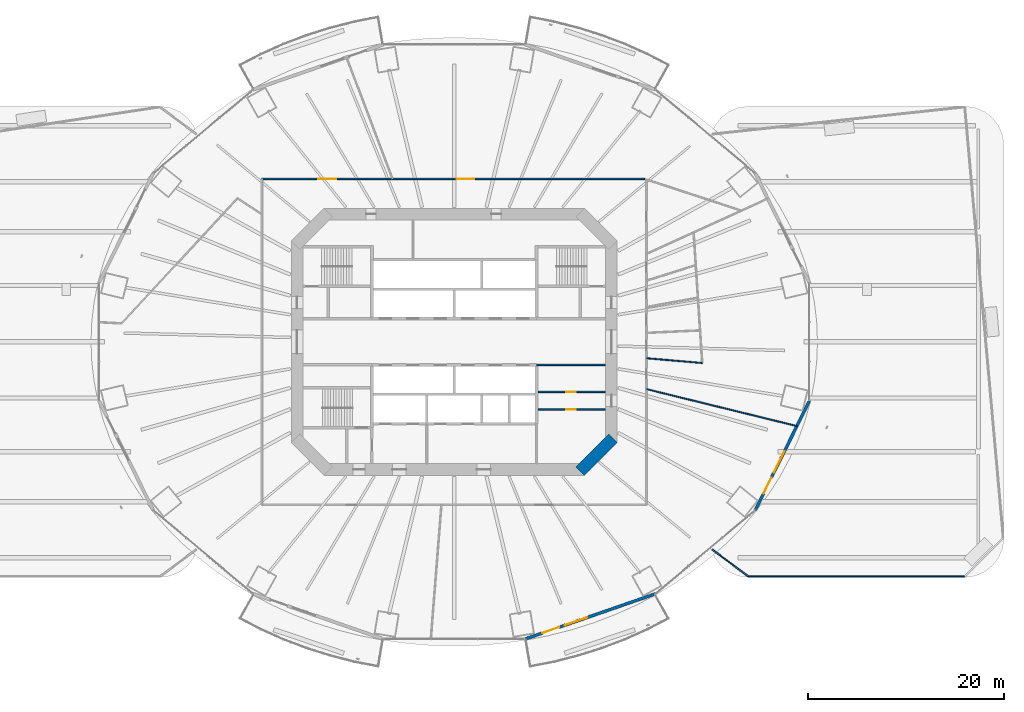
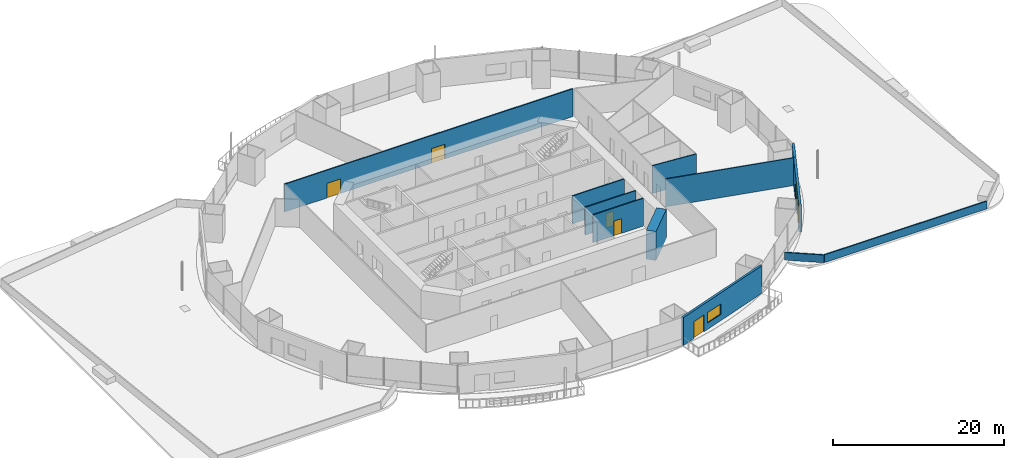
# One storey, part 20 of 27: 11 walls, 5 doors, 3 windows, 8 openings.
"""IFC4 building model written with IfcOpenShell, lengths in metres."""

import ifcopenshell
import ifcopenshell.guid

model = None  # the IFC model being written
_history = None  # IfcOwnerHistory: only IFC2X3 demands one
_inside = {}  # id of a spatial element -> (the spatial element, [elements in it])
_under = {}  # id of a project, library or spatial element -> (it, [spatial elements below it])
_declared = {}  # id of a project -> (the project, [libraries it declares])
_typed = {}  # id of a type object -> (the type object, [elements of that type])
_made_of = {}  # id of a material, layer set ... -> (it, [elements and type objects made of it])


def new_model(schema):
    """Start an empty IFC model of exactly this schema.

    Asked for "IFC4X3", IfcOpenShell would pick the latest addendum, in which some entities
    have other attributes; the version numbers below select the first issue.
    IFC2X3 requires an IfcOwnerHistory on every rooted entity: one is made here for all.
    """
    global model, _history
    if schema == "IFC4X3":
        model = ifcopenshell.file(schema_version=(4, 3, 0, 0))
    else:
        model = ifcopenshell.file(schema=schema)
    _inside.clear()
    _under.clear()
    _declared.clear()
    _typed.clear()
    _made_of.clear()
    _history = None
    if model.schema == "IFC2X3":
        org = make("IfcOrganization", Name="unknown")
        user = make(
            "IfcPersonAndOrganization",
            ThePerson=make("IfcPerson", FamilyName="unknown"),
            TheOrganization=org,
        )
        app = make(
            "IfcApplication",
            ApplicationDeveloper=org,
            Version="unknown",
            ApplicationFullName="unknown",
            ApplicationIdentifier="unknown",
        )
        _history = make(
            "IfcOwnerHistory",
            OwningUser=user,
            OwningApplication=app,
            ChangeAction="ADDED",
            CreationDate=0,
        )
    return model


def make(cls, **values):
    """One entity of the class cls with the attributes given. An attribute that is None is left unset."""
    return model.create_entity(
        cls, **{name: value for name, value in values.items() if value is not None}
    )


def rooted(cls, **values):
    """An entity with a GlobalId (a new one), such as an element, a storey or a relation."""
    return make(cls, GlobalId=ifcopenshell.guid.new(), OwnerHistory=_history, **values)


def si_unit(unit_type, name, prefix=None):
    """IfcSIUnit, for example si_unit("LENGTHUNIT", "METRE", prefix="MILLI")."""
    return make("IfcSIUnit", UnitType=unit_type, Prefix=prefix, Name=name)


def assignment(units):
    """IfcUnitAssignment: the units of a project."""
    return None if units is None else make("IfcUnitAssignment", Units=units)


def point(xyz):
    """IfcCartesianPoint."""
    return None if xyz is None else make("IfcCartesianPoint", Coordinates=xyz)


def direction(xyz):
    """IfcDirection."""
    return None if xyz is None else make("IfcDirection", DirectionRatios=xyz)


def frame(location, z_axis=None, x_axis=None):
    """IfcAxis2Placement3D, a coordinate frame: its origin and axes. An axis left out is left unset."""
    return make(
        "IfcAxis2Placement3D",
        Location=point(location),
        Axis=direction(z_axis),
        RefDirection=direction(x_axis),
    )


def frame_2d(location, x_axis=None):
    """IfcAxis2Placement2D, a coordinate frame in the plane: its origin and x axis."""
    return make(
        "IfcAxis2Placement2D", Location=point(location), RefDirection=direction(x_axis)
    )


def origin():
    """The frame at (0, 0, 0) with its axes left unset."""
    return frame((0.0, 0.0, 0.0))


def place(relative_to, where):
    """IfcLocalPlacement: puts the frame where relative to a parent placement (None: the world)."""
    return make(
        "IfcLocalPlacement", PlacementRelTo=relative_to, RelativePlacement=where
    )


def context(
    kind, dimensions, precision=None, world=None, true_north=None, identifier=None
):
    """IfcGeometricRepresentationContext, for example the 3D "Model" context."""
    return make(
        "IfcGeometricRepresentationContext",
        ContextIdentifier=identifier,
        ContextType=kind,
        CoordinateSpaceDimension=dimensions,
        Precision=precision,
        WorldCoordinateSystem=world,
        TrueNorth=true_north,
    )


def subcontext(parent, identifier, kind, view, scale=None):
    """IfcGeometricRepresentationSubContext, for example "Body" below "Model"."""
    return make(
        "IfcGeometricRepresentationSubContext",
        ContextIdentifier=identifier,
        ContextType=kind,
        ParentContext=parent,
        TargetScale=scale,
        TargetView=view,
    )


def project(units=None, contexts=None):
    """IfcProject with its units and contexts."""
    return rooted(
        "IfcProject",
        Name="project",
        RepresentationContexts=contexts,
        UnitsInContext=assignment(units),
    )


def spatial(cls, under=None, at=None, **own):
    """A site, building, storey or space (cls), placed at a placement, below another one or the project."""
    s = rooted(cls, ObjectPlacement=at, **own)
    if under is not None:
        _under.setdefault(under.id(), (under, []))[1].append(s)
    return s


def profile(cls, at=None, kind="AREA", **sizes):
    """A parametric profile (cls). Its sizes go by their IFC names, for example OverallWidth=200.0."""
    return make(cls, ProfileType=kind, Position=at, **sizes)


def rectangle(**sizes):
    """IfcRectangleProfileDef."""
    return profile("IfcRectangleProfileDef", **sizes)


def extrude(swept, where, along, depth):
    """IfcExtrudedAreaSolid: the profile swept, set in the frame where, extruded along a direction by depth."""
    return make(
        "IfcExtrudedAreaSolid",
        SweptArea=swept,
        Position=where,
        ExtrudedDirection=direction(along),
        Depth=depth,
    )


def shape(context_of_items, identifier, shape_type, items):
    """IfcShapeRepresentation: the items that make up one representation, for example the "Body"."""
    return make(
        "IfcShapeRepresentation",
        ContextOfItems=context_of_items,
        RepresentationIdentifier=identifier,
        RepresentationType=shape_type,
        Items=items,
    )


def material(Name=None, Category=None):
    """IfcMaterial."""
    return make("IfcMaterial", Name=Name, Category=Category)


def layer(
    of_material, thickness, ventilated=None, Name=None, Category=None, Priority=None
):
    """IfcMaterialLayer: one layer of a wall or slab, of a material (None: an air gap)."""
    return make(
        "IfcMaterialLayer",
        Material=of_material,
        LayerThickness=thickness,
        IsVentilated=ventilated,
        Name=Name,
        Category=Category,
        Priority=Priority,
    )


def layer_set(layers, Name=None):
    """IfcMaterialLayerSet."""
    return make("IfcMaterialLayerSet", MaterialLayers=layers, LayerSetName=Name)


def made_of(thing, what):
    """Note that an element or type object is made of a material, layer set ...; save() writes the relation."""
    if what is not None:
        _made_of.setdefault(what.id(), (what, []))[1].append(thing)
    return thing


def type_object(cls, material=None, **own):
    """A type object (cls), such as IfcWallType, which elements share."""
    return made_of(rooted(cls, **own), material)


def element(
    cls,
    number,
    at=None,
    inside=None,
    cuts=None,
    type_object=None,
    material=None,
    context=None,
    identifier="Body",
    shape_type=None,
    held_by="IfcProductDefinitionShape",
    body=None,
    shapes=None,
    **own,
):
    """One element of the class cls, such as IfcWall. Its Tag is "e" and its number.

    at: its placement. inside: the storey or other place that contains it. cuts: it is an
    opening in that element (IfcRelVoidsElement). A single representation is given by context,
    identifier, shape_type and body (its items); several are given by shapes. held_by: the class
    of the entity that holds the representations. save() writes the other relations.
    """
    e = rooted(cls, Tag="e%d" % number, ObjectPlacement=at, **own)
    if body is not None:
        shapes = [shape(context, identifier, shape_type, body)]
    if shapes is not None:
        e.Representation = make(held_by, Representations=shapes)
    if inside is not None:
        _inside.setdefault(inside.id(), (inside, []))[1].append(e)
    if cuts is not None:
        rooted(
            "IfcRelVoidsElement", RelatingBuildingElement=cuts, RelatedOpeningElement=e
        )
    if type_object is not None:
        _typed.setdefault(type_object.id(), (type_object, []))[1].append(e)
    return made_of(e, material)


def fill(opening, filler):
    """IfcRelFillsElement: the door or window that sits in an opening."""
    return rooted(
        "IfcRelFillsElement",
        RelatingOpeningElement=opening,
        RelatedBuildingElement=filler,
    )


def aggregate(whole, parts):
    """IfcRelAggregates: a whole, such as a stair, and the parts it consists of."""
    return rooted("IfcRelAggregates", RelatingObject=whole, RelatedObjects=parts)


def save(model, path):
    """Write the relations noted so far, then the file.

    IfcRelAggregates (storeys below a building ...), IfcRelContainedInSpatialStructure (elements
    in a storey), IfcRelDefinesByType, IfcRelAssociatesMaterial and IfcRelDeclares: one each for
    every whole, place, type object, material and project.
    """
    for whole, parts in _under.values():
        aggregate(whole, parts)
    for where, things in _inside.values():
        rooted(
            "IfcRelContainedInSpatialStructure",
            RelatedElements=things,
            RelatingStructure=where,
        )
    for kind, things in _typed.values():
        rooted("IfcRelDefinesByType", RelatedObjects=things, RelatingType=kind)
    for what, things in _made_of.values():
        rooted("IfcRelAssociatesMaterial", RelatedObjects=things, RelatingMaterial=what)
    for by, libraries in _declared.values():
        rooted("IfcRelDeclares", RelatingContext=by, RelatedDefinitions=libraries)
    model.write(path)


model = new_model("IFC4")

# Units and contexts
model_context = context("Model", 3, precision=1e-05, world=origin(), true_north=direction((0.0, 1.0)))
body_context = subcontext(model_context, "Body", "Model", "MODEL_VIEW")
ifc_project = project(units=[si_unit("LENGTHUNIT", "METRE"), si_unit("AREAUNIT", "SQUARE_METRE"), si_unit("VOLUMEUNIT", "CUBIC_METRE"), si_unit("PLANEANGLEUNIT", "RADIAN"), si_unit("MASSUNIT", "GRAM", prefix="KILO")], contexts=[model_context])

# Site, building, storey
site_placement = place(None, origin())
site = spatial("IfcSite", under=ifc_project, at=site_placement, CompositionType="ELEMENT")
building_placement = place(site_placement, origin())
building = spatial("IfcBuilding", under=site, at=building_placement, Name="Marenthal Gate Tower", CompositionType="ELEMENT")
storey_placement = place(building_placement, frame((0.0, 0.0, 33.0)))
storey = spatial("IfcBuildingStorey", under=building, at=storey_placement, Name="L04", CompositionType="ELEMENT", Elevation=33.0)

# Walls
ifc_material_1 = material(Name="Concrete 60 MPa", Category="concrete")
ifc_layer_1 = layer(ifc_material_1, 1.199951171875)
ifc_layer_set_1 = layer_set([ifc_layer_1], Name="Core shear wall 1200")
wall_type_1 = type_object("IfcWallType", Name="Core shear wall 1200", PredefinedType="SHEAR", material=ifc_layer_set_1)
wall_1_placement = place(storey_placement, frame((12.82421875, -13.17578125, -0.179931640625), z_axis=(0.0, 0.0, 1.0), x_axis=(0.707106781187, 0.707106781187, 0.0)))
element("IfcWall", 1, at=wall_1_placement, inside=storey, type_object=wall_type_1, Name="Core wall 01", PredefinedType="SHEAR", context=body_context, shape_type="SweptSolid", body=[
    extrude(rectangle(XDim=4.73974609375, YDim=1.199951171875, at=frame_2d((2.369873046875, 0.0))), origin(), (0.0, 0.0, 1.0), 4.14990234375),
])
ifc_material_2 = material(Name="Gypsum board on steel studs", Category="steel")
ifc_layer_2 = layer(ifc_material_2, 0.1201171875)
ifc_layer_set_2 = layer_set([ifc_layer_2], Name="Partition 120")
wall_type_2 = type_object("IfcWallType", Name="Partition 120", PredefinedType="PARTITIONING", material=ifc_layer_set_2)
wall_2_placement = place(storey_placement, frame((19.60009765625, -4.822265625, 0.0), z_axis=(0.0, 0.0, 1.0), x_axis=(0.971041534545, -0.238910732678, 0.0)))
element("IfcWall", 2, at=wall_2_placement, inside=storey, type_object=wall_type_2, Name="Partition wall 55", PredefinedType="PARTITIONING", context=body_context, shape_type="SweptSolid", body=[
    extrude(rectangle(XDim=15.759521484375, YDim=0.1201171875, at=frame_2d((7.8798828125, 0.0))), origin(), (0.0, 0.0, 1.0), 3.969970703125),
])
wall_3_placement = place(storey_placement, frame((25.2587890625, -2.161865234375, 0.0), z_axis=(0.0, 0.0, 1.0), x_axis=(-0.996356466097, 0.08528653157, 0.0)))
element("IfcWall", 3, at=wall_3_placement, inside=storey, type_object=wall_type_2, Name="Partition wall 62", PredefinedType="PARTITIONING", context=body_context, shape_type="SweptSolid", body=[
    extrude(rectangle(XDim=5.679443359375, YDim=0.1201171875, at=frame_2d((2.83984375, 0.0))), origin(), (0.0, 0.0, 1.0), 3.969970703125),
])

# Wall, opening, door
ifc_material_3 = material(Name="Gypsum board on steel studs", Category="steel")
ifc_layer_3 = layer(ifc_material_3, 0.14990234375)
ifc_layer_set_3 = layer_set([ifc_layer_3], Name="Partition 150")
wall_type_3 = type_object("IfcWallType", Name="Partition 150", PredefinedType="PARTITIONING", material=ifc_layer_set_3)
wall_4_placement = place(storey_placement, frame((8.550048828125, -6.89990234375, 0.0), z_axis=(0.0, 0.0, 1.0), x_axis=(1.0, 0.0, 0.0)))
wall_4 = element("IfcWall", 4, at=wall_4_placement, inside=storey, type_object=wall_type_3, Name="Partition wall 12", PredefinedType="PARTITIONING", context=body_context, shape_type="SweptSolid", body=[
    extrude(rectangle(XDim=6.849853515625, YDim=0.14990234375, at=frame_2d((3.4248046875, 0.0))), origin(), (0.0, 0.0, 1.0), 3.969970703125),
])
opening_1_placement = place(wall_4_placement, frame((2.85009765625, 0.0, 0.0)))
opening_1 = element("IfcOpeningElement", 5, at=opening_1_placement, cuts=wall_4, Name="Opening D005.04", PredefinedType="OPENING", context=body_context, shape_type="SweptSolid", body=[
    extrude(rectangle(XDim=1.0, YDim=2.10009765625, at=frame_2d((0.5, 1.050048828125))), frame((0.0, 0.0849609375, 0.0), z_axis=(0.0, -1.0, 0.0), x_axis=(1.0, 0.0, 0.0)), (0.0, 0.0, 1.0), 0.169921875),
])
ifc_material_4 = material(Name="Steel fire door", Category="steel")
door_type_1 = type_object("IfcDoorType", Name="Fire door FD 45 1000 x 2100", OperationType="NOTDEFINED", PredefinedType="DOOR", material=ifc_material_4)
door_1_placement = place(opening_1_placement, frame((1.0, 0.0, 0.0), z_axis=(0.0, 0.0, 1.0), x_axis=(-1.0, 0.0, 0.0)))
door_1 = element("IfcDoor", 6, at=door_1_placement, inside=storey, type_object=door_type_1, Name="Door D005.04", OperationType="SINGLE_SWING_LEFT", OverallHeight=2.10009765625, OverallWidth=1.0, PredefinedType="DOOR", context=body_context, shape_type="SweptSolid", body=[
    extrude(rectangle(XDim=1.0, YDim=2.10009765625, at=frame_2d((0.5, 1.050048828125))), frame((0.0, 0.02490234375, 0.0), z_axis=(0.0, -1.0, 0.0), x_axis=(1.0, 0.0, 0.0)), (0.0, 0.0, 1.0), 0.050048828125),
])
fill(opening_1, door_1)

wall_5_placement = place(storey_placement, frame((8.550048828125, -5.10009765625, 0.0), z_axis=(0.0, 0.0, 1.0), x_axis=(1.0, 0.0, 0.0)))
wall_5 = element("IfcWall", 7, at=wall_5_placement, inside=storey, type_object=wall_type_3, Name="Partition wall 14", PredefinedType="PARTITIONING", context=body_context, shape_type="SweptSolid", body=[
    extrude(rectangle(XDim=6.849853515625, YDim=0.14990234375, at=frame_2d((3.4248046875, 0.0))), origin(), (0.0, 0.0, 1.0), 3.969970703125),
])
opening_2_placement = place(wall_5_placement, frame((2.85009765625, 0.0, 0.0)))
opening_2 = element("IfcOpeningElement", 8, at=opening_2_placement, cuts=wall_5, Name="Opening D005.03", PredefinedType="OPENING", context=body_context, shape_type="SweptSolid", body=[
    extrude(rectangle(XDim=1.0, YDim=2.10009765625, at=frame_2d((0.5, 1.050048828125))), frame((0.0, 0.0849609375, 0.0), z_axis=(0.0, -1.0, 0.0), x_axis=(1.0, 0.0, 0.0)), (0.0, 0.0, 1.0), 0.169921875),
])
door_2_placement = place(opening_2_placement, origin())
door_2 = element("IfcDoor", 9, at=door_2_placement, inside=storey, type_object=door_type_1, Name="Door D005.03", OperationType="SINGLE_SWING_RIGHT", OverallHeight=2.10009765625, OverallWidth=1.0, PredefinedType="DOOR", context=body_context, shape_type="SweptSolid", body=[
    extrude(rectangle(XDim=1.0, YDim=2.10009765625, at=frame_2d((0.5, 1.050048828125))), frame((0.0, 0.02490234375, 0.0), z_axis=(0.0, -1.0, 0.0), x_axis=(1.0, 0.0, 0.0)), (0.0, 0.0, 1.0), 0.050048828125),
])
fill(opening_2, door_2)

# Wall
wall_6_placement = place(storey_placement, frame((8.39990234375, -2.35009765625, 0.0), z_axis=(0.0, 0.0, 1.0), x_axis=(1.0, 0.0, 0.0)))
element("IfcWall", 10, at=wall_6_placement, inside=storey, type_object=wall_type_3, Name="Partition wall 18", PredefinedType="PARTITIONING", context=body_context, shape_type="SweptSolid", body=[
    extrude(rectangle(XDim=7.0, YDim=0.14990234375, at=frame_2d((3.5, 0.0))), origin(), (0.0, 0.0, 1.0), 3.969970703125),
])

# Wall, openings, doors
wall_7_placement = place(storey_placement, frame((-19.60009765625, 16.60009765625, 0.0), z_axis=(0.0, 0.0, 1.0), x_axis=(1.0, 0.0, 0.0)))
wall_7 = element("IfcWall", 11, at=wall_7_placement, inside=storey, type_object=wall_type_3, Name="Partition wall 51", PredefinedType="PARTITIONING", context=body_context, shape_type="SweptSolid", body=[
    extrude(rectangle(XDim=38.995849609375, YDim=0.14990234375, at=frame_2d((19.498046875, 0.0))), origin(), (0.0, 0.0, 1.0), 3.969970703125),
])
opening_3_placement = place(wall_7_placement, frame((19.85693359375, 0.0, 0.0)))
opening_3 = element("IfcOpeningElement", 12, at=opening_3_placement, cuts=wall_7, Name="Opening D014.01", PredefinedType="OPENING", context=body_context, shape_type="SweptSolid", body=[
    extrude(rectangle(XDim=1.800048828125, YDim=2.10009765625, at=frame_2d((0.89990234375, 1.050048828125))), frame((0.0, 0.0849609375, 0.0), z_axis=(0.0, -1.0, 0.0), x_axis=(1.0, 0.0, 0.0)), (0.0, 0.0, 1.0), 0.169921875),
])
opening_4_placement = place(wall_7_placement, frame((5.757080078125, 0.0, 0.0)))
opening_4 = element("IfcOpeningElement", 13, at=opening_4_placement, cuts=wall_7, Name="Opening D014.02", PredefinedType="OPENING", context=body_context, shape_type="SweptSolid", body=[
    extrude(rectangle(XDim=1.800048828125, YDim=2.10009765625, at=frame_2d((0.89990234375, 1.050048828125))), frame((0.0, 0.0849609375, 0.0), z_axis=(0.0, -1.0, 0.0), x_axis=(1.0, 0.0, 0.0)), (0.0, 0.0, 1.0), 0.169921875),
])
ifc_material_5 = material(Name="Timber door", Category="wood")
door_type_2 = type_object("IfcDoorType", Name="Double door 1800 x 2100", OperationType="DOUBLE_DOOR_SINGLE_SWING", PredefinedType="DOOR", material=ifc_material_5)
door_3_placement = place(opening_3_placement, origin())
door_3 = element("IfcDoor", 14, at=door_3_placement, inside=storey, type_object=door_type_2, Name="Door D014.01", OperationType="DOUBLE_DOOR_SINGLE_SWING", OverallHeight=2.10009765625, OverallWidth=1.800048828125, PredefinedType="DOOR", context=body_context, shape_type="SweptSolid", body=[
    extrude(rectangle(XDim=1.800048828125, YDim=2.10009765625, at=frame_2d((0.89990234375, 1.050048828125))), frame((0.0, 0.02490234375, 0.0), z_axis=(0.0, -1.0, 0.0), x_axis=(1.0, 0.0, 0.0)), (0.0, 0.0, 1.0), 0.050048828125),
])
fill(opening_3, door_3)
door_4_placement = place(opening_4_placement, origin())
door_4 = element("IfcDoor", 15, at=door_4_placement, inside=storey, type_object=door_type_2, Name="Door D014.02", OperationType="DOUBLE_DOOR_SINGLE_SWING", OverallHeight=2.10009765625, OverallWidth=1.800048828125, PredefinedType="DOOR", context=body_context, shape_type="SweptSolid", body=[
    extrude(rectangle(XDim=1.800048828125, YDim=2.10009765625, at=frame_2d((0.89990234375, 1.050048828125))), frame((0.0, 0.02490234375, 0.0), z_axis=(0.0, -1.0, 0.0), x_axis=(1.0, 0.0, 0.0)), (0.0, 0.0, 1.0), 0.050048828125),
])
fill(opening_4, door_4)

# Wall, openings, door, window
ifc_material_6 = material(Name="Terracotta cladding on insulated concrete-block backing", Category="masonry")
ifc_layer_4 = layer(ifc_material_6, 0.300048828125)
ifc_layer_set_4 = layer_set([ifc_layer_4], Name="Terracotta facade wall 300")
wall_type_4 = type_object("IfcWallType", Name="Terracotta facade wall 300", PredefinedType="SOLIDWALL", material=ifc_layer_set_4)
wall_8_placement = place(storey_placement, frame((7.19482421875, -30.28662109375, 0.0), z_axis=(0.0, 0.0, 1.0), x_axis=(0.944791803015, 0.327671251341, 0.0)))
wall_8 = element("IfcWall", 16, at=wall_8_placement, inside=storey, type_object=wall_type_4, Name="Terracotta facade wall L04 bay 13", PredefinedType="SOLIDWALL", context=body_context, shape_type="SweptSolid", body=[
    extrude(rectangle(XDim=14.071533203125, YDim=0.300048828125, at=frame_2d((7.03564453125, 0.0))), origin(), (0.0, 0.0, 1.0), 3.969970703125),
])
opening_5_placement = place(wall_8_placement, frame((1.89990234375, 0.0, 0.0)))
opening_5 = element("IfcOpeningElement", 17, at=opening_5_placement, cuts=wall_8, Name="Opening BD-L04-13", PredefinedType="OPENING", context=body_context, shape_type="SweptSolid", body=[
    extrude(rectangle(XDim=1.800048828125, YDim=2.39990234375, at=frame_2d((0.89990234375, 1.199951171875))), frame((0.0, 0.16015625, 0.0), z_axis=(0.0, -1.0, 0.0), x_axis=(1.0, 0.0, 0.0)), (0.0, 0.0, 1.0), 0.320068359375),
])
opening_6_placement = place(wall_8_placement, frame((4.300048828125, 0.0, 0.89990234375)))
opening_6 = element("IfcOpeningElement", 18, at=opening_6_placement, cuts=wall_8, Name="Opening WN1-L04-13", PredefinedType="OPENING", context=body_context, shape_type="SweptSolid", body=[
    extrude(rectangle(XDim=2.39990234375, YDim=1.5, at=frame_2d((1.199951171875, 0.75))), frame((0.0, 0.16015625, 0.0), z_axis=(0.0, -1.0, 0.0), x_axis=(1.0, 0.0, 0.0)), (0.0, 0.0, 1.0), 0.320068359375),
])
ifc_material_7 = material(Name="Aluminium and glass", Category="aluminium")
door_type_3 = type_object("IfcDoorType", Name="Balcony door 1800x2400", OperationType="DOUBLE_DOOR_SINGLE_SWING", PredefinedType="DOOR", material=ifc_material_7)
door_5_placement = place(opening_5_placement, origin())
door_5 = element("IfcDoor", 19, at=door_5_placement, inside=storey, type_object=door_type_3, Name="Balcony door L04 bay 13", OperationType="SINGLE_SWING_LEFT", OverallHeight=2.39990234375, OverallWidth=1.800048828125, PredefinedType="DOOR", context=body_context, shape_type="SweptSolid", body=[
    extrude(rectangle(XDim=1.800048828125, YDim=2.39990234375, at=frame_2d((0.89990234375, 1.199951171875))), frame((0.0, 0.02490234375, 0.0), z_axis=(0.0, -1.0, 0.0), x_axis=(1.0, 0.0, 0.0)), (0.0, 0.0, 1.0), 0.050048828125),
])
fill(opening_5, door_5)
ifc_material_8 = material(Name="Aluminium and glass", Category="aluminium")
window_type_1 = type_object("IfcWindowType", Name="Window 2400x1500", PartitioningType="TRIPLE_PANEL_VERTICAL", PredefinedType="WINDOW", material=ifc_material_8)
window_1_placement = place(opening_6_placement, origin())
window_1 = element("IfcWindow", 20, at=window_1_placement, inside=storey, type_object=window_type_1, Name="Window L04 bay 13", OverallHeight=1.5, OverallWidth=2.39990234375, PartitioningType="SINGLE_PANEL", PredefinedType="WINDOW", context=body_context, shape_type="SweptSolid", body=[
    extrude(rectangle(XDim=2.39990234375, YDim=1.5, at=frame_2d((1.199951171875, 0.75))), frame((0.0, 0.030029296875, 0.0), z_axis=(0.0, -1.0, 0.0), x_axis=(1.0, 0.0, 0.0)), (0.0, 0.0, 1.0), 0.06005859375),
])
fill(opening_6, window_1)

# Wall, openings, windows
wall_9_placement = place(storey_placement, frame((30.66455078125, -17.156005859375, 0.0), z_axis=(0.0, 0.0, 1.0), x_axis=(0.443411588907, 0.896318114747, 0.0)))
wall_9 = element("IfcWall", 21, at=wall_9_placement, inside=storey, type_object=wall_type_4, Name="Terracotta facade wall L04 bay 15", PredefinedType="SOLIDWALL", context=body_context, shape_type="SweptSolid", body=[
    extrude(rectangle(XDim=12.419189453125, YDim=0.300048828125, at=frame_2d((6.20947265625, 0.0))), origin(), (0.0, 0.0, 1.0), 3.969970703125),
])
opening_7_placement = place(wall_9_placement, frame((1.89990234375, 0.0, 0.0)))
opening_7 = element("IfcOpeningElement", 22, at=opening_7_placement, cuts=wall_9, Name="Opening WN8-L04-15", PredefinedType="OPENING", context=body_context, shape_type="SweptSolid", body=[
    extrude(rectangle(XDim=1.800048828125, YDim=2.39990234375, at=frame_2d((0.89990234375, 1.199951171875))), frame((0.0, 0.16015625, 0.0), z_axis=(0.0, -1.0, 0.0), x_axis=(1.0, 0.0, 0.0)), (0.0, 0.0, 1.0), 0.320068359375),
])
opening_8_placement = place(wall_9_placement, frame((4.300048828125, 0.0, 0.89990234375)))
opening_8 = element("IfcOpeningElement", 23, at=opening_8_placement, cuts=wall_9, Name="Opening WN1-L04-15", PredefinedType="OPENING", context=body_context, shape_type="SweptSolid", body=[
    extrude(rectangle(XDim=2.39990234375, YDim=1.5, at=frame_2d((1.199951171875, 0.75))), frame((0.0, 0.16015625, 0.0), z_axis=(0.0, -1.0, 0.0), x_axis=(1.0, 0.0, 0.0)), (0.0, 0.0, 1.0), 0.320068359375),
])
ifc_material_9 = material(Name="Aluminium and glass", Category="aluminium")
window_type_2 = type_object("IfcWindowType", Name="Terracotta SCREEN 30", PartitioningType="DOUBLE_PANEL_VERTICAL", PredefinedType="WINDOW", material=ifc_material_9)
window_2_placement = place(opening_7_placement, origin())
window_2 = element("IfcWindow", 24, at=window_2_placement, inside=storey, type_object=window_type_2, Name="Glazed screen L04 bay 15", OverallHeight=2.39990234375, OverallWidth=1.800048828125, PartitioningType="SINGLE_PANEL", PredefinedType="WINDOW", context=body_context, shape_type="SweptSolid", body=[
    extrude(rectangle(XDim=1.800048828125, YDim=2.39990234375, at=frame_2d((0.89990234375, 1.199951171875))), frame((0.0, 0.030029296875, 0.0), z_axis=(0.0, -1.0, 0.0), x_axis=(1.0, 0.0, 0.0)), (0.0, 0.0, 1.0), 0.06005859375),
])
fill(opening_7, window_2)
window_3_placement = place(opening_8_placement, origin())
window_3 = element("IfcWindow", 25, at=window_3_placement, inside=storey, type_object=window_type_1, Name="Window L04 bay 15", OverallHeight=1.5, OverallWidth=2.39990234375, PartitioningType="SINGLE_PANEL", PredefinedType="WINDOW", context=body_context, shape_type="SweptSolid", body=[
    extrude(rectangle(XDim=2.39990234375, YDim=1.5, at=frame_2d((1.199951171875, 0.75))), frame((0.0, 0.030029296875, 0.0), z_axis=(0.0, -1.0, 0.0), x_axis=(1.0, 0.0, 0.0)), (0.0, 0.0, 1.0), 0.06005859375),
])
fill(opening_8, window_3)

# Walls
ifc_material_10 = material(Name="Concrete 40 MPa", Category="concrete")
ifc_layer_5 = layer(ifc_material_10, 0.14990234375)
ifc_layer_set_5 = layer_set([ifc_layer_5], Name="Wing roof parapet 150")
wall_type_5 = type_object("IfcWallType", Name="Wing roof parapet 150", PredefinedType="PARAPET", material=ifc_layer_set_5)
wall_10_placement = place(storey_placement, frame((51.9951171875, -23.925048828125, -0.0400390625), z_axis=(0.0, 0.0, 1.0), x_axis=(-1.0, 0.0, 0.0)))
element("IfcWall", 26, at=wall_10_placement, inside=storey, type_object=wall_type_5, Name="Wing roof parapet E1", PredefinedType="PARAPET", context=body_context, shape_type="SweptSolid", body=[
    extrude(rectangle(XDim=21.990234375, YDim=0.14990234375, at=frame_2d((10.9951171875, 0.0))), origin(), (0.0, 0.0, 1.0), 1.10009765625),
])
wall_11_placement = place(storey_placement, frame((30.0048828125, -23.925048828125, -0.0400390625), z_axis=(0.0, 0.0, 1.0), x_axis=(-0.803923802622, 0.594732309176, 0.0)))
element("IfcWall", 27, at=wall_11_placement, inside=storey, type_object=wall_type_5, Name="Wing roof parapet E2", PredefinedType="PARAPET", context=body_context, shape_type="SweptSolid", body=[
    extrude(rectangle(XDim=4.64599609375, YDim=0.14990234375, at=frame_2d((2.322998046875, 0.0))), origin(), (0.0, 0.0, 1.0), 1.10009765625),
])

save(model, "model.ifc")
